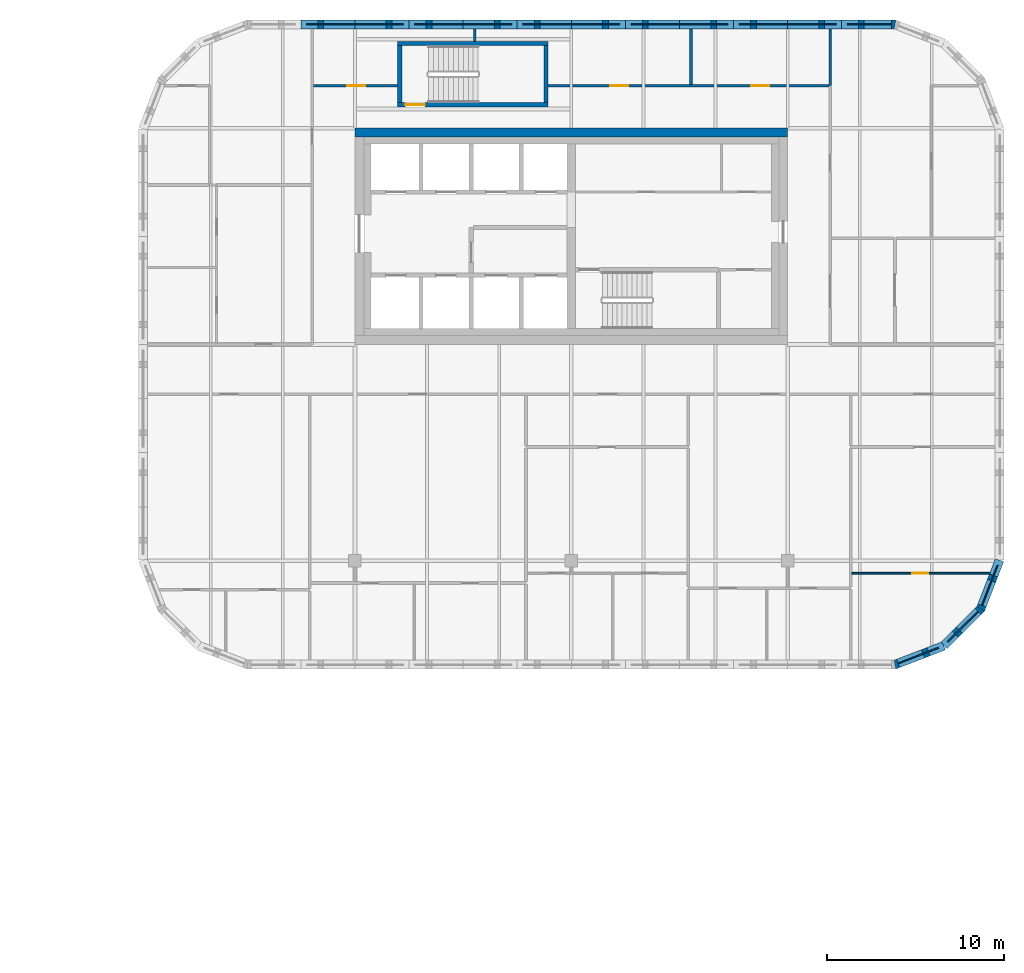
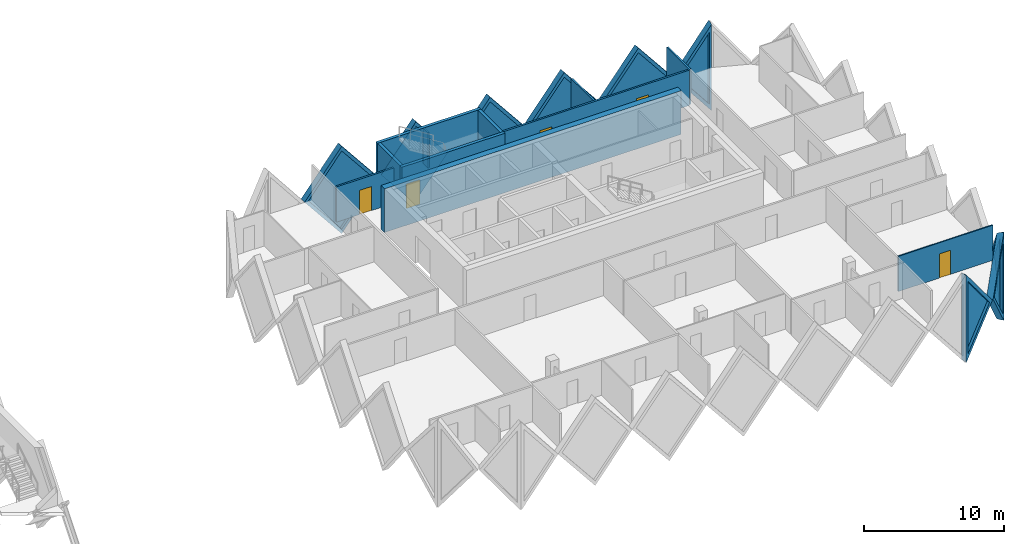
# One storey, part 15 of 19: 20 walls, 9 plates, 5 doors, 14 openings.
"""IFC4 building model written with IfcOpenShell, lengths in metres."""

from ifc_helpers import new_model, si_unit, direction, frame, frame_2d, origin, place, context, subcontext, project, spatial, polyline, rectangle, outline, extrude, faceted_brep, source, transform, mapped, material, layer, layer_set, type_object, element, fill, save


model = new_model("IFC4")

# Units and contexts
model_context = context("Model", 3, precision=1e-05, world=origin(), true_north=direction((0.0, 1.0)))
body_context = subcontext(model_context, "Body", "Model", "MODEL_VIEW")
ifc_project = project(units=[si_unit("LENGTHUNIT", "METRE"), si_unit("AREAUNIT", "SQUARE_METRE"), si_unit("VOLUMEUNIT", "CUBIC_METRE"), si_unit("PLANEANGLEUNIT", "RADIAN"), si_unit("MASSUNIT", "GRAM", prefix="KILO")], contexts=[model_context])

# Site, building, storey
site_placement = place(None, origin())
site = spatial("IfcSite", under=ifc_project, at=site_placement, CompositionType="ELEMENT")
building_placement = place(site_placement, origin())
building = spatial("IfcBuilding", under=site, at=building_placement, Name="Tessera Gate Towers", CompositionType="ELEMENT")
storey_placement = place(building_placement, frame((0.0, 0.0, 76.199951171875)))
storey = spatial("IfcBuildingStorey", under=building, at=storey_placement, Name="L18", CompositionType="ELEMENT", Elevation=76.199951171875)

# Wall, opening, door
ifc_material_1 = material(Name="Concrete C40/50", Category="concrete")
ifc_layer_1 = layer(ifc_material_1, 0.25)
ifc_layer_set_1 = layer_set([ifc_layer_1], Name="CORE ENCLOSURE WALL 250")
wall_type_1 = type_object("IfcWallType", Name="CORE ENCLOSURE WALL 250", PredefinedType="SOLIDWALL", material=ifc_layer_set_1)
wall_1_placement = place(storey_placement, frame((108.5, 50.125, 0.0), z_axis=(0.0, 0.0, 1.0), x_axis=(-1.0, 0.0, 0.0)))
wall_1 = element("IfcWall", 1, at=wall_1_placement, inside=storey, type_object=wall_type_1, Name="L18 ST7 enclosure wall", PredefinedType="SOLIDWALL", context=body_context, shape_type="SweptSolid", body=[
    extrude(rectangle(XDim=8.5, YDim=0.25, at=frame_2d((4.25, 0.0))), origin(), (0.0, 0.0, 1.0), 3.800048828125),
])
shared_shape_1 = source(origin(), body_context, "Body", "SweptSolid", [
    extrude(rectangle(XDim=1.10009765625, YDim=2.10009765625, at=frame_2d((0.550048828125, 1.050048828125))), frame((0.0, 0.135009765625, 0.0), z_axis=(0.0, -1.0, 0.0), x_axis=(1.0, 0.0, 0.0)), (0.0, 0.0, 1.0), 0.27001953125),
])
opening_1_placement = place(wall_1_placement, frame((6.949951171875, 0.0, 0.0)))
opening_1 = element("IfcOpeningElement", 2, at=opening_1_placement, cuts=wall_1, Name="Opening SD-ST7-1", PredefinedType="OPENING", context=body_context, shape_type="MappedRepresentation", body=[
    mapped(shared_shape_1, transform((0.0, 0.0, 0.0), scale=1.0)),
])
ifc_material_2 = material(Name="Hollow steel fire door", Category="steel")
door_type_1 = type_object("IfcDoorType", Name="CORE DOOR SD1100 1100x2100", OperationType="NOTDEFINED", PredefinedType="DOOR", material=ifc_material_2)
shared_shape_2 = source(origin(), body_context, "Body", "SweptSolid", [
    extrude(rectangle(XDim=1.10009765625, YDim=2.10009765625, at=frame_2d((0.550048828125, 1.050048828125))), frame((0.0, 0.02490234375, 0.0), z_axis=(0.0, -1.0, 0.0), x_axis=(1.0, 0.0, 0.0)), (0.0, 0.0, 1.0), 0.050048828125),
])
door_1_placement = place(opening_1_placement, origin())
door_1 = element("IfcDoor", 3, at=door_1_placement, inside=storey, type_object=door_type_1, Name="Stair door", OperationType="SINGLE_SWING_RIGHT", OverallHeight=2.10009765625, OverallWidth=1.10009765625, PredefinedType="DOOR", context=body_context, shape_type="MappedRepresentation", body=[
    mapped(shared_shape_2, transform((0.0, 0.0, 0.0), scale=1.0)),
])
fill(opening_1, door_1)

# Walls
wall_2_placement = place(storey_placement, frame((100.125, 50.25, 0.0), z_axis=(0.0, 0.0, 1.0), x_axis=(0.0, 1.0, 0.0)))
element("IfcWall", 4, at=wall_2_placement, inside=storey, type_object=wall_type_1, Name="L18 ST7 enclosure wall", PredefinedType="SOLIDWALL", context=body_context, shape_type="SweptSolid", body=[
    extrude(rectangle(XDim=3.199951171875, YDim=0.25, at=frame_2d((1.60009765625, 0.0))), origin(), (0.0, 0.0, 1.0), 3.800048828125),
])
wall_3_placement = place(storey_placement, frame((100.0, 53.574951171875, 0.0), z_axis=(0.0, 0.0, 1.0), x_axis=(1.0, 0.0, 0.0)))
element("IfcWall", 5, at=wall_3_placement, inside=storey, type_object=wall_type_1, Name="L18 ST7 enclosure wall", PredefinedType="SOLIDWALL", context=body_context, shape_type="SweptSolid", body=[
    extrude(rectangle(XDim=8.5, YDim=0.25, at=frame_2d((4.25, 0.0))), origin(), (0.0, 0.0, 1.0), 3.800048828125),
])
wall_4_placement = place(storey_placement, frame((108.375, 53.449951171875, 0.0), z_axis=(0.0, 0.0, 1.0), x_axis=(0.0, -1.0, 0.0)))
element("IfcWall", 6, at=wall_4_placement, inside=storey, type_object=wall_type_1, Name="L18 ST7 enclosure wall", PredefinedType="SOLIDWALL", context=body_context, shape_type="SweptSolid", body=[
    extrude(rectangle(XDim=3.199951171875, YDim=0.25, at=frame_2d((1.60009765625, 0.0))), origin(), (0.0, 0.0, 1.0), 3.800048828125),
])
ifc_material_3 = material(Name="Concrete C50/60", Category="concrete")
ifc_layer_2 = layer(ifc_material_3, 0.5)
ifc_layer_set_2 = layer_set([ifc_layer_2], Name="CORE SHEAR WALL 500 C50/60")
wall_type_2 = type_object("IfcWallType", Name="CORE SHEAR WALL 500 C50/60", PredefinedType="SHEAR", material=ifc_layer_set_2)
wall_5_placement = place(storey_placement, frame((97.60009765625, 48.550048828125, 0.0), z_axis=(0.0, 0.0, 1.0), x_axis=(1.0, 0.0, 0.0)))
element("IfcWall", 7, at=wall_5_placement, inside=storey, type_object=wall_type_2, Name="Core wall N L18", PredefinedType="SHEAR", context=body_context, shape_type="SweptSolid", body=[
    extrude(rectangle(XDim=24.39990234375, YDim=0.5, at=frame_2d((12.199951171875, 0.0))), origin(), (0.0, 0.0, 1.0), 3.800048828125),
])

# Wall, opening, door
ifc_material_4 = material(Name="Gypsum board on steel studs, mineral wool", Category="steel")
ifc_layer_3 = layer(ifc_material_4, 0.14990234375)
ifc_layer_set_3 = layer_set([ifc_layer_3], Name="CORRIDOR WALL 150")
wall_type_3 = type_object("IfcWallType", Name="CORRIDOR WALL 150", PredefinedType="PARTITIONING", material=ifc_layer_set_3)
wall_6_placement = place(storey_placement, frame((95.27587890625, 51.199951171875, 0.0), z_axis=(0.0, 0.0, 1.0), x_axis=(1.0, 0.0, 0.0)))
wall_6 = element("IfcWall", 8, at=wall_6_placement, inside=storey, type_object=wall_type_3, Name="T2-L18-PW-045", PredefinedType="PARTITIONING", context=body_context, shape_type="SweptSolid", body=[
    extrude(rectangle(XDim=4.72412109375, YDim=0.14990234375, at=frame_2d((2.362060546875, 0.0))), origin(), (0.0, 0.0, 1.0), 3.067138671875),
])
shared_shape_3 = source(origin(), body_context, "Body", "SweptSolid", [
    extrude(rectangle(XDim=1.0, YDim=2.10009765625, at=frame_2d((0.5, 1.050048828125))), frame((0.0, 0.0849609375, 0.0), z_axis=(0.0, -1.0, 0.0), x_axis=(1.0, 0.0, 0.0)), (0.0, 0.0, 1.0), 0.169921875),
])
opening_2_placement = place(wall_6_placement, frame((1.89990234375, 0.0, 0.0)))
opening_2 = element("IfcOpeningElement", 9, at=opening_2_placement, cuts=wall_6, Name="Opening D2100FD60-B07-01", PredefinedType="OPENING", context=body_context, shape_type="MappedRepresentation", body=[
    mapped(shared_shape_3, transform((0.0, 0.0, 0.0), scale=1.0)),
])
ifc_material_5 = material(Name="Timber door leaf in steel frame", Category="steel")
door_type_2 = type_object("IfcDoorType", Name="TENANCY ENTRANCE DOOR 1000 FD60", OperationType="NOTDEFINED", PredefinedType="DOOR", material=ifc_material_5)
shared_shape_4 = source(origin(), body_context, "Body", "SweptSolid", [
    extrude(rectangle(XDim=1.0, YDim=2.10009765625, at=frame_2d((0.5, 1.050048828125))), frame((0.0, 0.02490234375, 0.0), z_axis=(0.0, -1.0, 0.0), x_axis=(1.0, 0.0, 0.0)), (0.0, 0.0, 1.0), 0.050048828125),
])
door_2_placement = place(opening_2_placement, origin())
door_2 = element("IfcDoor", 10, at=door_2_placement, inside=storey, type_object=door_type_2, Name="T2-L18-PD-006", OperationType="SINGLE_SWING_LEFT", OverallHeight=2.10009765625, OverallWidth=1.0, PredefinedType="DOOR", context=body_context, shape_type="MappedRepresentation", body=[
    mapped(shared_shape_4, transform((0.0, 0.0, 0.0), scale=1.0)),
])
fill(opening_2, door_2)

# Wall, openings, doors
wall_7_placement = place(storey_placement, frame((108.5, 51.199951171875, 0.0), z_axis=(0.0, 0.0, 1.0), x_axis=(1.0, 0.0, 0.0)))
wall_7 = element("IfcWall", 11, at=wall_7_placement, inside=storey, type_object=wall_type_3, Name="T2-L18-PW-046", PredefinedType="PARTITIONING", context=body_context, shape_type="SweptSolid", body=[
    extrude(rectangle(XDim=15.823974609375, YDim=0.14990234375, at=frame_2d((7.912109375, 0.0))), origin(), (0.0, 0.0, 1.0), 3.067138671875),
])
opening_3_placement = place(wall_7_placement, frame((11.450927734375, 0.0, 0.0)))
opening_3 = element("IfcOpeningElement", 12, at=opening_3_placement, cuts=wall_7, Name="Opening D2100FD60-B07-02", PredefinedType="OPENING", context=body_context, shape_type="MappedRepresentation", body=[
    mapped(shared_shape_3, transform((0.0, 0.0, 0.0), scale=1.0)),
])
opening_4_placement = place(wall_7_placement, frame((3.5, 0.0, 0.0)))
opening_4 = element("IfcOpeningElement", 13, at=opening_4_placement, cuts=wall_7, Name="Opening D2100FD60-B07-03", PredefinedType="OPENING", context=body_context, shape_type="MappedRepresentation", body=[
    mapped(shared_shape_3, transform((0.0, 0.0, 0.0), scale=1.0)),
])
door_3_placement = place(opening_3_placement, origin())
door_3 = element("IfcDoor", 14, at=door_3_placement, inside=storey, type_object=door_type_2, Name="T2-L18-PD-015", OperationType="SINGLE_SWING_LEFT", OverallHeight=2.10009765625, OverallWidth=1.0, PredefinedType="DOOR", context=body_context, shape_type="MappedRepresentation", body=[
    mapped(shared_shape_4, transform((0.0, 0.0, 0.0), scale=1.0)),
])
fill(opening_3, door_3)
door_4_placement = place(opening_4_placement, origin())
door_4 = element("IfcDoor", 15, at=door_4_placement, inside=storey, type_object=door_type_2, Name="T2-L18-PD-017", OperationType="SINGLE_SWING_LEFT", OverallHeight=2.10009765625, OverallWidth=1.0, PredefinedType="DOOR", context=body_context, shape_type="MappedRepresentation", body=[
    mapped(shared_shape_4, transform((0.0, 0.0, 0.0), scale=1.0)),
])
fill(opening_4, door_4)

# Wall, opening, door
ifc_material_6 = material(Name="Gypsum board on steel studs", Category="steel")
ifc_layer_4 = layer(ifc_material_6, 0.10009765625)
ifc_layer_set_4 = layer_set([ifc_layer_4], Name="PARTITION 100")
wall_type_4 = type_object("IfcWallType", Name="PARTITION 100", PredefinedType="PARTITIONING", material=ifc_layer_set_4)
wall_8_placement = place(storey_placement, frame((133.39404296875, 23.699951171875, 0.0), z_axis=(0.0, 0.0, 1.0), x_axis=(-1.0, 0.0, 0.0)))
wall_8 = element("IfcWall", 16, at=wall_8_placement, inside=storey, type_object=wall_type_4, Name="T2-L18-PW-018", PredefinedType="PARTITIONING", context=body_context, shape_type="SweptSolid", body=[
    extrude(rectangle(XDim=7.76806640625, YDim=0.10009765625, at=frame_2d((3.884033203125, 0.0))), origin(), (0.0, 0.0, 1.0), 3.067138671875),
])
shared_shape_5 = source(origin(), body_context, "Body", "SweptSolid", [
    extrude(rectangle(XDim=0.89990234375, YDim=2.10009765625, at=frame_2d((0.449951171875, 1.050048828125))), frame((0.0, 0.06005859375, 0.0), z_axis=(0.0, -1.0, 0.0), x_axis=(1.0, 0.0, 0.0)), (0.0, 0.0, 1.0), 0.1201171875),
])
opening_5_placement = place(wall_8_placement, frame((3.468017578125, 0.0, 0.0)))
opening_5 = element("IfcOpeningElement", 17, at=opening_5_placement, cuts=wall_8, Name="Opening D190-B07-09", PredefinedType="OPENING", context=body_context, shape_type="MappedRepresentation", body=[
    mapped(shared_shape_5, transform((0.0, 0.0, 0.0), scale=1.0)),
])
ifc_material_7 = material(Name="Timber door leaf in steel frame", Category="steel")
door_type_3 = type_object("IfcDoorType", Name="INTERNAL DOOR 900 NOT RATED", OperationType="NOTDEFINED", PredefinedType="DOOR", material=ifc_material_7)
shared_shape_6 = source(origin(), body_context, "Body", "SweptSolid", [
    extrude(rectangle(XDim=0.89990234375, YDim=2.10009765625, at=frame_2d((0.449951171875, 1.050048828125))), frame((0.0, 0.02490234375, 0.0), z_axis=(0.0, -1.0, 0.0), x_axis=(1.0, 0.0, 0.0)), (0.0, 0.0, 1.0), 0.050048828125),
])
door_5_placement = place(opening_5_placement, origin())
door_5 = element("IfcDoor", 18, at=door_5_placement, inside=storey, type_object=door_type_3, Name="T2-L18-PD-014", OperationType="SINGLE_SWING_RIGHT", OverallHeight=2.10009765625, OverallWidth=0.89990234375, PredefinedType="DOOR", context=body_context, shape_type="MappedRepresentation", body=[
    mapped(shared_shape_6, transform((0.0, 0.0, 0.0), scale=1.0)),
])
fill(opening_5, door_5)

# Walls
ifc_material_8 = material(Name="Gypsum board on steel studs, mineral wool", Category="steel")
ifc_layer_5 = layer(ifc_material_8, 0.14990234375)
ifc_layer_set_5 = layer_set([ifc_layer_5], Name="TENANCY WALL 150")
wall_type_5 = type_object("IfcWallType", Name="TENANCY WALL 150", PredefinedType="PARTITIONING", material=ifc_layer_set_5)
wall_9_placement = place(storey_placement, frame((124.39990234375, 51.200927734375, 0.0), z_axis=(0.0, 0.0, 1.0), x_axis=(0.0, 1.0, 0.0)))
element("IfcWall", 19, at=wall_9_placement, inside=storey, type_object=wall_type_5, Name="T2-L18-PW-047", PredefinedType="PARTITIONING", context=body_context, shape_type="SweptSolid", body=[
    extrude(rectangle(XDim=3.198974609375, YDim=0.14990234375, at=frame_2d((1.599609375, 0.0))), origin(), (0.0, 0.0, 1.0), 3.067138671875),
])
wall_10_placement = place(storey_placement, frame((116.550048828125, 51.27587890625, 0.0), z_axis=(0.0, 0.0, 1.0), x_axis=(0.0, 1.0, 0.0)))
element("IfcWall", 20, at=wall_10_placement, inside=storey, type_object=wall_type_5, Name="T2-L18-PW-049", PredefinedType="PARTITIONING", context=body_context, shape_type="SweptSolid", body=[
    extrude(rectangle(XDim=3.1240234375, YDim=0.14990234375, at=frame_2d((1.56201171875, 0.0))), origin(), (0.0, 0.0, 1.0), 3.067138671875),
])
wall_11_placement = place(storey_placement, frame((104.35009765625, 53.699951171875, 0.0), z_axis=(0.0, 0.0, 1.0), x_axis=(0.0, 1.0, 0.0)))
element("IfcWall", 21, at=wall_11_placement, inside=storey, type_object=wall_type_5, Name="T2-L18-PW-050", PredefinedType="PARTITIONING", context=body_context, shape_type="SweptSolid", body=[
    extrude(rectangle(XDim=0.699951171875, YDim=0.14990234375, at=frame_2d((0.35009765625, 0.0))), origin(), (0.0, 0.0, 1.0), 3.067138671875),
])

# Wall, opening, plate
ifc_material_9 = material(Name="Precast concrete C60/75 white", Category="concrete")
ifc_layer_6 = layer(ifc_material_9, 0.5)
ifc_layer_set_6 = layer_set([ifc_layer_6], Name="TS1 tessera")
wall_type_6 = type_object("IfcWallType", Name="TS1 tessera", PredefinedType="SOLIDWALL", material=ifc_layer_set_6)
shared_shape_7 = source(origin(), body_context, "Body", "Brep", [
    faceted_brep([(3.050048828125, -0.25, 0.0), (6.099853515625, -0.25, 3.7998046875), (6.099853515625, -0.25, 3.80029296875), (3.050048828125, -0.25, 7.60009765625), (0.0, -0.25, 3.800048828125), (0.0, 0.25, 3.800048828125), (3.050048828125, 0.25, 7.60009765625), (6.099853515625, 0.25, 3.80029296875), (6.099853515625, 0.25, 3.7998046875), (3.050048828125, 0.25, 0.0)], [[[0, 1, 2, 3, 4]], [[5, 6, 7, 8, 9]], [[9, 8, 1, 0]], [[7, 6, 3, 2]], [[6, 5, 4, 3]], [[5, 9, 0, 4]], [[1, 8, 7, 2]]]),
])
wall_12_placement = place(storey_placement, frame((118.949951171875, 54.64990234375, -3.800048828125), z_axis=(0.0, 0.0, 1.0), x_axis=(-1.0, 0.0, 0.0)))
wall_12 = element("IfcWall", 22, at=wall_12_placement, inside=storey, type_object=wall_type_6, Name="Precast tessera T2 TS1-0208", PredefinedType="SOLIDWALL", context=body_context, shape_type="MappedRepresentation", body=[
    mapped(shared_shape_7, transform((0.0, 0.0, 0.0), scale=1.0)),
])
shared_shape_8 = source(origin(), body_context, "Body", "SweptSolid", [
    extrude(outline(polyline([(3.050048828125, 0.3994140625), (5.779541015625, 3.800048828125), (3.050048828125, 7.20068359375), (0.320556640625, 3.800048828125), (3.050048828125, 0.3994140625)])), frame((0.0, 0.260009765625, 0.0), z_axis=(0.0, -1.0, 0.0), x_axis=(1.0, 0.0, 0.0)), (0.0, 0.0, 1.0), 0.52001953125),
])
opening_6_placement = place(wall_12_placement, origin())
opening_6 = element("IfcOpeningElement", 23, at=opening_6_placement, cuts=wall_12, Name="Opening T2-PL2-0394", PredefinedType="OPENING", context=body_context, shape_type="MappedRepresentation", body=[
    mapped(shared_shape_8, transform((0.0, 0.0, 0.0), scale=1.0)),
])
ifc_material_10 = material(Name="Low-e laminated glass", Category="glass")
ifc_layer_7 = layer(ifc_material_10, 0.06005859375)
ifc_layer_set_7 = layer_set([ifc_layer_7], Name="PL2 rhombic pane")
plate_type = type_object("IfcPlateType", Name="PL2 rhombic pane", PredefinedType="SHEET", material=ifc_layer_set_7)
shared_shape_9 = source(origin(), body_context, "Body", "SweptSolid", [
    extrude(outline(polyline([(3.050048828125, 0.3994140625), (5.779541015625, 3.800048828125), (3.050048828125, 7.20068359375), (0.320556640625, 3.800048828125), (3.050048828125, 0.3994140625)])), frame((0.0, 0.030029296875, 0.0), z_axis=(0.0, -1.0, 0.0), x_axis=(1.0, 0.0, 0.0)), (0.0, 0.0, 1.0), 0.06005859375),
])
plate_1_placement = place(opening_6_placement, origin())
plate_1 = element("IfcPlate", 24, at=plate_1_placement, inside=storey, type_object=plate_type, Name="Glass pane T2 PL2-0394", PredefinedType="SHEET", context=body_context, shape_type="MappedRepresentation", body=[
    mapped(shared_shape_9, transform((0.0, 0.0, 0.0), scale=1.0)),
])
fill(opening_6, plate_1)

wall_13_placement = place(storey_placement, frame((100.64990234375, 54.64990234375, -3.800048828125), z_axis=(0.0, 0.0, 1.0), x_axis=(-1.0, 0.0, 0.0)))
wall_13 = element("IfcWall", 25, at=wall_13_placement, inside=storey, type_object=wall_type_6, Name="Precast tessera T2 TS1-0211", PredefinedType="SOLIDWALL", context=body_context, shape_type="MappedRepresentation", body=[
    mapped(shared_shape_7, transform((0.0, 0.0, 0.0), scale=1.0)),
])
opening_7_placement = place(wall_13_placement, origin())
opening_7 = element("IfcOpeningElement", 26, at=opening_7_placement, cuts=wall_13, Name="Opening T2-PL2-0397", PredefinedType="OPENING", context=body_context, shape_type="MappedRepresentation", body=[
    mapped(shared_shape_8, transform((0.0, 0.0, 0.0), scale=1.0)),
])
plate_2_placement = place(opening_7_placement, origin())
plate_2 = element("IfcPlate", 27, at=plate_2_placement, inside=storey, type_object=plate_type, Name="Glass pane T2 PL2-0397", PredefinedType="SHEET", context=body_context, shape_type="MappedRepresentation", body=[
    mapped(shared_shape_9, transform((0.0, 0.0, 0.0), scale=1.0)),
])
fill(opening_7, plate_2)

shared_shape_10 = source(origin(), body_context, "Body", "SweptSolid", [
    extrude(outline(polyline([(3.050048828125, 0.0), (6.10009765625, 3.800048828125), (3.050048828125, 7.60009765625), (0.0, 3.800048828125), (3.050048828125, 0.0)])), frame((0.0, 0.25, 0.0), z_axis=(0.0, -1.0, 0.0), x_axis=(1.0, 0.0, 0.0)), (0.0, 0.0, 1.0), 0.5),
])
wall_14_placement = place(storey_placement, frame((125.050048828125, 54.64990234375, -3.800048828125), z_axis=(0.0, 0.0, 1.0), x_axis=(-1.0, 0.0, 0.0)))
wall_14 = element("IfcWall", 28, at=wall_14_placement, inside=storey, type_object=wall_type_6, Name="Precast tessera T2 TS1-0207", PredefinedType="SOLIDWALL", context=body_context, shape_type="MappedRepresentation", body=[
    mapped(shared_shape_10, transform((0.0, 0.0, 0.0), scale=1.0)),
])
opening_8_placement = place(wall_14_placement, origin())
opening_8 = element("IfcOpeningElement", 29, at=opening_8_placement, cuts=wall_14, Name="Opening T2-PL2-0393", PredefinedType="OPENING", context=body_context, shape_type="MappedRepresentation", body=[
    mapped(shared_shape_8, transform((0.0, 0.0, 0.0), scale=1.0)),
])
plate_3_placement = place(opening_8_placement, origin())
plate_3 = element("IfcPlate", 30, at=plate_3_placement, inside=storey, type_object=plate_type, Name="Glass pane T2 PL2-0393", PredefinedType="SHEET", context=body_context, shape_type="MappedRepresentation", body=[
    mapped(shared_shape_9, transform((0.0, 0.0, 0.0), scale=1.0)),
])
fill(opening_8, plate_3)

wall_15_placement = place(storey_placement, frame((112.85009765625, 54.64990234375, -3.800048828125), z_axis=(0.0, 0.0, 1.0), x_axis=(-1.0, 0.0, 0.0)))
wall_15 = element("IfcWall", 31, at=wall_15_placement, inside=storey, type_object=wall_type_6, Name="Precast tessera T2 TS1-0209", PredefinedType="SOLIDWALL", context=body_context, shape_type="MappedRepresentation", body=[
    mapped(shared_shape_10, transform((0.0, 0.0, 0.0), scale=1.0)),
])
opening_9_placement = place(wall_15_placement, origin())
opening_9 = element("IfcOpeningElement", 32, at=opening_9_placement, cuts=wall_15, Name="Opening T2-PL2-0395", PredefinedType="OPENING", context=body_context, shape_type="MappedRepresentation", body=[
    mapped(shared_shape_8, transform((0.0, 0.0, 0.0), scale=1.0)),
])
plate_4_placement = place(opening_9_placement, origin())
plate_4 = element("IfcPlate", 33, at=plate_4_placement, inside=storey, type_object=plate_type, Name="Glass pane T2 PL2-0395", PredefinedType="SHEET", context=body_context, shape_type="MappedRepresentation", body=[
    mapped(shared_shape_9, transform((0.0, 0.0, 0.0), scale=1.0)),
])
fill(opening_9, plate_4)

wall_16_placement = place(storey_placement, frame((106.75, 54.64990234375, -3.800048828125), z_axis=(0.0, 0.0, 1.0), x_axis=(-1.0, 0.0, 0.0)))
wall_16 = element("IfcWall", 34, at=wall_16_placement, inside=storey, type_object=wall_type_6, Name="Precast tessera T2 TS1-0210", PredefinedType="SOLIDWALL", context=body_context, shape_type="MappedRepresentation", body=[
    mapped(shared_shape_10, transform((0.0, 0.0, 0.0), scale=1.0)),
])
opening_10_placement = place(wall_16_placement, origin())
opening_10 = element("IfcOpeningElement", 35, at=opening_10_placement, cuts=wall_16, Name="Opening T2-PL2-0396", PredefinedType="OPENING", context=body_context, shape_type="MappedRepresentation", body=[
    mapped(shared_shape_8, transform((0.0, 0.0, 0.0), scale=1.0)),
])
plate_5_placement = place(opening_10_placement, origin())
plate_5 = element("IfcPlate", 36, at=plate_5_placement, inside=storey, type_object=plate_type, Name="Glass pane T2 PL2-0396", PredefinedType="SHEET", context=body_context, shape_type="MappedRepresentation", body=[
    mapped(shared_shape_9, transform((0.0, 0.0, 0.0), scale=1.0)),
])
fill(opening_10, plate_5)

ifc_material_11 = material(Name="Precast concrete C60/75 white", Category="concrete")
ifc_layer_8 = layer(ifc_material_11, 0.5)
ifc_layer_set_8 = layer_set([ifc_layer_8], Name="TS3 corner tessera")
wall_type_7 = type_object("IfcWallType", Name="TS3 corner tessera", PredefinedType="SOLIDWALL", material=ifc_layer_set_8)
shared_shape_11 = source(origin(), body_context, "Body", "Brep", [
    faceted_brep([(0.046630859375, -0.25, 0.0), (3.050048828125, -0.25, 3.800048828125), (0.046630859375, -0.25, 7.60009765625), (0.0, -0.25, 7.5400390625), (0.0, -0.25, 0.06005859375), (0.09326171875, 0.25, 7.541259765625), (3.050048828125, 0.25, 3.800048828125), (0.09326171875, 0.25, 0.058837890625), (0.046630859375, 0.0, 0.0), (0.046630859375, 0.0, 7.60009765625)], [[[0, 1, 2, 3, 4]], [[5, 6, 7]], [[7, 6, 1, 0, 8]], [[6, 5, 9, 2, 1]], [[3, 2, 9]], [[8, 0, 4]], [[7, 8, 4, 3, 9, 5]]]),
])
wall_17_placement = place(storey_placement, frame((128.10009765625, 54.64990234375, -3.800048828125), z_axis=(0.0, 0.0, 1.0), x_axis=(-1.0, 0.0, 0.0)))
wall_17 = element("IfcWall", 37, at=wall_17_placement, inside=storey, type_object=wall_type_7, Name="Precast corner tessera T2 TS3-0266", PredefinedType="SOLIDWALL", context=body_context, shape_type="MappedRepresentation", body=[
    mapped(shared_shape_11, transform((0.0, 0.0, 0.0), scale=1.0)),
])
shared_shape_12 = source(origin(), body_context, "Body", "SweptSolid", [
    extrude(outline(polyline([(0.24658203125, 0.65625), (2.7314453125, 3.800048828125), (0.24658203125, 6.94384765625), (0.24658203125, 0.65625)])), frame((0.0, 0.260009765625, 0.0), z_axis=(0.0, -1.0, 0.0), x_axis=(1.0, 0.0, 0.0)), (0.0, 0.0, 1.0), 0.52001953125),
])
opening_11_placement = place(wall_17_placement, origin())
opening_11 = element("IfcOpeningElement", 38, at=opening_11_placement, cuts=wall_17, Name="Opening T2-PL2-0392", PredefinedType="OPENING", context=body_context, shape_type="MappedRepresentation", body=[
    mapped(shared_shape_12, transform((0.0, 0.0, 0.0), scale=1.0)),
])
shared_shape_13 = source(origin(), body_context, "Body", "SweptSolid", [
    extrude(outline(polyline([(0.24658203125, 0.65625), (2.7314453125, 3.800048828125), (0.24658203125, 6.94384765625), (0.24658203125, 0.65625)])), frame((0.0, 0.030029296875, 0.0), z_axis=(0.0, -1.0, 0.0), x_axis=(1.0, 0.0, 0.0)), (0.0, 0.0, 1.0), 0.06005859375),
])
plate_6_placement = place(opening_11_placement, origin())
plate_6 = element("IfcPlate", 39, at=plate_6_placement, inside=storey, type_object=plate_type, Name="Glass pane T2 PL2-0392", PredefinedType="SHEET", context=body_context, shape_type="MappedRepresentation", body=[
    mapped(shared_shape_13, transform((0.0, 0.0, 0.0), scale=1.0)),
])
fill(opening_11, plate_6)

shared_shape_14 = source(origin(), body_context, "Body", "Brep", [
    faceted_brep([(0.046630859375, -0.25, 0.0), (2.9970703125, -0.25, 3.800048828125), (0.046630859375, -0.25, 7.60009765625), (0.0, -0.25, 7.541259765625), (0.0, -0.25, 0.058837890625), (0.09326171875, 0.25, 7.5400390625), (2.9443359375, 0.25, 3.8681640625), (2.9443359375, 0.25, 3.73193359375), (0.09326171875, 0.25, 0.06005859375), (2.9970703125, 0.00048828125, 3.800048828125), (0.046630859375, 0.0, 0.0), (0.046630859375, 0.0, 7.60009765625)], [[[0, 1, 2, 3, 4]], [[5, 6, 7, 8]], [[8, 7, 9, 1, 0, 10]], [[6, 5, 11, 2, 1, 9]], [[3, 2, 11]], [[10, 0, 4]], [[8, 10, 4, 3, 11, 5]], [[9, 7, 6]]]),
])
wall_18_placement = place(storey_placement, frame((128.010009765625, 18.533203125, -3.800048828125), z_axis=(0.0, 0.0, 1.0), x_axis=(0.932990326376, 0.359901446078, 0.0)))
wall_18 = element("IfcWall", 40, at=wall_18_placement, inside=storey, type_object=wall_type_7, Name="Precast corner tessera T2 TS3-0260", PredefinedType="SOLIDWALL", context=body_context, shape_type="MappedRepresentation", body=[
    mapped(shared_shape_14, transform((0.0, 0.0, 0.0), scale=1.0)),
])
shared_shape_15 = source(origin(), body_context, "Body", "SweptSolid", [
    extrude(outline(polyline([(0.24658203125, 0.665283203125), (2.6806640625, 3.800048828125), (0.24658203125, 6.934814453125), (0.24658203125, 0.665283203125)])), frame((0.0, 0.260009765625, 0.0), z_axis=(0.0, -1.0, 0.0), x_axis=(1.0, 0.0, 0.0)), (0.0, 0.0, 1.0), 0.52001953125),
])
opening_12_placement = place(wall_18_placement, origin())
opening_12 = element("IfcOpeningElement", 41, at=opening_12_placement, cuts=wall_18, Name="Opening T2-PL2-0382", PredefinedType="OPENING", context=body_context, shape_type="MappedRepresentation", body=[
    mapped(shared_shape_15, transform((0.0, 0.0, 0.0), scale=1.0)),
])
shared_shape_16 = source(origin(), body_context, "Body", "SweptSolid", [
    extrude(outline(polyline([(0.24658203125, 0.665283203125), (2.6806640625, 3.800048828125), (0.24658203125, 6.934814453125), (0.24658203125, 0.665283203125)])), frame((0.0, 0.030029296875, 0.0), z_axis=(0.0, -1.0, 0.0), x_axis=(1.0, 0.0, 0.0)), (0.0, 0.0, 1.0), 0.06005859375),
])
plate_7_placement = place(opening_12_placement, origin())
plate_7 = element("IfcPlate", 42, at=plate_7_placement, inside=storey, type_object=plate_type, Name="Glass pane T2 PL2-0382", PredefinedType="SHEET", context=body_context, shape_type="MappedRepresentation", body=[
    mapped(shared_shape_16, transform((0.0, 0.0, 0.0), scale=1.0)),
])
fill(opening_12, plate_7)

shared_shape_17 = source(origin(), body_context, "Body", "Brep", [
    faceted_brep([(0.052978515625, -0.25, 0.0), (3.00341796875, -0.25, 3.800048828125), (0.052978515625, -0.25, 7.60009765625), (0.0, -0.25, 7.53173828125), (0.0, -0.25, 0.068359375), (0.10595703125, 0.25, 7.531982421875), (2.95703125, 0.25, 3.85986328125), (2.95703125, 0.25, 3.740234375), (0.10595703125, 0.25, 0.068115234375), (3.00341796875, 0.00048828125, 3.800048828125), (0.052978515625, 0.0, 0.0), (0.052978515625, 0.0, 7.60009765625)], [[[0, 1, 2, 3, 4]], [[5, 6, 7, 8]], [[8, 7, 9, 1, 0, 10]], [[6, 5, 11, 2, 1, 9]], [[3, 2, 11]], [[10, 0, 4]], [[8, 10, 4, 3, 11, 5]], [[9, 7, 6]]]),
])
wall_19_placement = place(storey_placement, frame((132.869140625, 21.644287109375, -3.800048828125), z_axis=(0.0, 0.0, 1.0), x_axis=(0.359855894603, 0.933007896601, 0.0)))
wall_19 = element("IfcWall", 43, at=wall_19_placement, inside=storey, type_object=wall_type_7, Name="Precast corner tessera T2 TS3-0262", PredefinedType="SOLIDWALL", context=body_context, shape_type="MappedRepresentation", body=[
    mapped(shared_shape_17, transform((0.0, 0.0, 0.0), scale=1.0)),
])
shared_shape_18 = source(origin(), body_context, "Body", "SweptSolid", [
    extrude(outline(polyline([(0.2529296875, 0.665283203125), (2.68701171875, 3.800048828125), (0.2529296875, 6.934814453125), (0.2529296875, 0.665283203125)])), frame((0.0, 0.260009765625, 0.0), z_axis=(0.0, -1.0, 0.0), x_axis=(1.0, 0.0, 0.0)), (0.0, 0.0, 1.0), 0.52001953125),
])
opening_13_placement = place(wall_19_placement, origin())
opening_13 = element("IfcOpeningElement", 44, at=opening_13_placement, cuts=wall_19, Name="Opening T2-PL2-0384", PredefinedType="OPENING", context=body_context, shape_type="MappedRepresentation", body=[
    mapped(shared_shape_18, transform((0.0, 0.0, 0.0), scale=1.0)),
])
shared_shape_19 = source(origin(), body_context, "Body", "SweptSolid", [
    extrude(outline(polyline([(0.2529296875, 0.665283203125), (2.68701171875, 3.800048828125), (0.2529296875, 6.934814453125), (0.2529296875, 0.665283203125)])), frame((0.0, 0.030029296875, 0.0), z_axis=(0.0, -1.0, 0.0), x_axis=(1.0, 0.0, 0.0)), (0.0, 0.0, 1.0), 0.06005859375),
])
plate_8_placement = place(opening_13_placement, origin())
plate_8 = element("IfcPlate", 45, at=plate_8_placement, inside=storey, type_object=plate_type, Name="Glass pane T2 PL2-0384", PredefinedType="SHEET", context=body_context, shape_type="MappedRepresentation", body=[
    mapped(shared_shape_19, transform((0.0, 0.0, 0.0), scale=1.0)),
])
fill(opening_13, plate_8)

shared_shape_20 = source(origin(), body_context, "Body", "Brep", [
    faceted_brep([(2.944091796875, -0.25, 0.0), (2.9970703125, -0.25, 0.068115234375), (2.9970703125, -0.25, 7.531982421875), (2.944091796875, -0.25, 7.60009765625), (0.0, -0.25, 3.800048828125), (0.052978515625, 0.25, 3.868408203125), (2.89111328125, 0.25, 7.531982421875), (2.89111328125, 0.25, 0.068115234375), (0.052978515625, 0.25, 3.731689453125), (2.944091796875, 0.000244140625, 0.0), (2.944091796875, 0.000244140625, 7.60009765625), (0.0, 0.0, 3.800048828125)], [[[0, 1, 2, 3, 4]], [[5, 6, 7, 8]], [[1, 0, 9]], [[10, 3, 2]], [[6, 5, 11, 4, 3, 10]], [[8, 7, 9, 0, 4, 11]], [[8, 11, 5]], [[1, 9, 7, 6, 10, 2]]]),
])
wall_20_placement = place(storey_placement, frame((130.80615234375, 19.61181640625, -3.800048828125), z_axis=(0.0, 0.0, 1.0), x_axis=(0.707106781187, 0.707106781187, 0.0)))
wall_20 = element("IfcWall", 46, at=wall_20_placement, inside=storey, type_object=wall_type_7, Name="Precast corner tessera T2 TS3-0261", PredefinedType="SOLIDWALL", context=body_context, shape_type="MappedRepresentation", body=[
    mapped(shared_shape_20, transform((0.0, 0.0, 0.0), scale=1.0)),
])
shared_shape_21 = source(origin(), body_context, "Body", "SweptSolid", [
    extrude(outline(polyline([(2.744140625, 6.933837890625), (0.316162109375, 3.800048828125), (2.744140625, 0.66650390625), (2.744140625, 6.933837890625)])), frame((0.0, 0.260009765625, 0.0), z_axis=(0.0, -1.0, 0.0), x_axis=(1.0, 0.0, 0.0)), (0.0, 0.0, 1.0), 0.52001953125),
])
opening_14_placement = place(wall_20_placement, origin())
opening_14 = element("IfcOpeningElement", 47, at=opening_14_placement, cuts=wall_20, Name="Opening T2-PL2-0383", PredefinedType="OPENING", context=body_context, shape_type="MappedRepresentation", body=[
    mapped(shared_shape_21, transform((0.0, 0.0, 0.0), scale=1.0)),
])
shared_shape_22 = source(origin(), body_context, "Body", "SweptSolid", [
    extrude(outline(polyline([(2.744140625, 6.933837890625), (0.316162109375, 3.800048828125), (2.744140625, 0.66650390625), (2.744140625, 6.933837890625)])), frame((0.0, 0.030029296875, 0.0), z_axis=(0.0, -1.0, 0.0), x_axis=(1.0, 0.0, 0.0)), (0.0, 0.0, 1.0), 0.06005859375),
])
plate_9_placement = place(opening_14_placement, origin())
plate_9 = element("IfcPlate", 48, at=plate_9_placement, inside=storey, type_object=plate_type, Name="Glass pane T2 PL2-0383", PredefinedType="SHEET", context=body_context, shape_type="MappedRepresentation", body=[
    mapped(shared_shape_22, transform((0.0, 0.0, 0.0), scale=1.0)),
])
fill(opening_14, plate_9)

save(model, "model.ifc")
